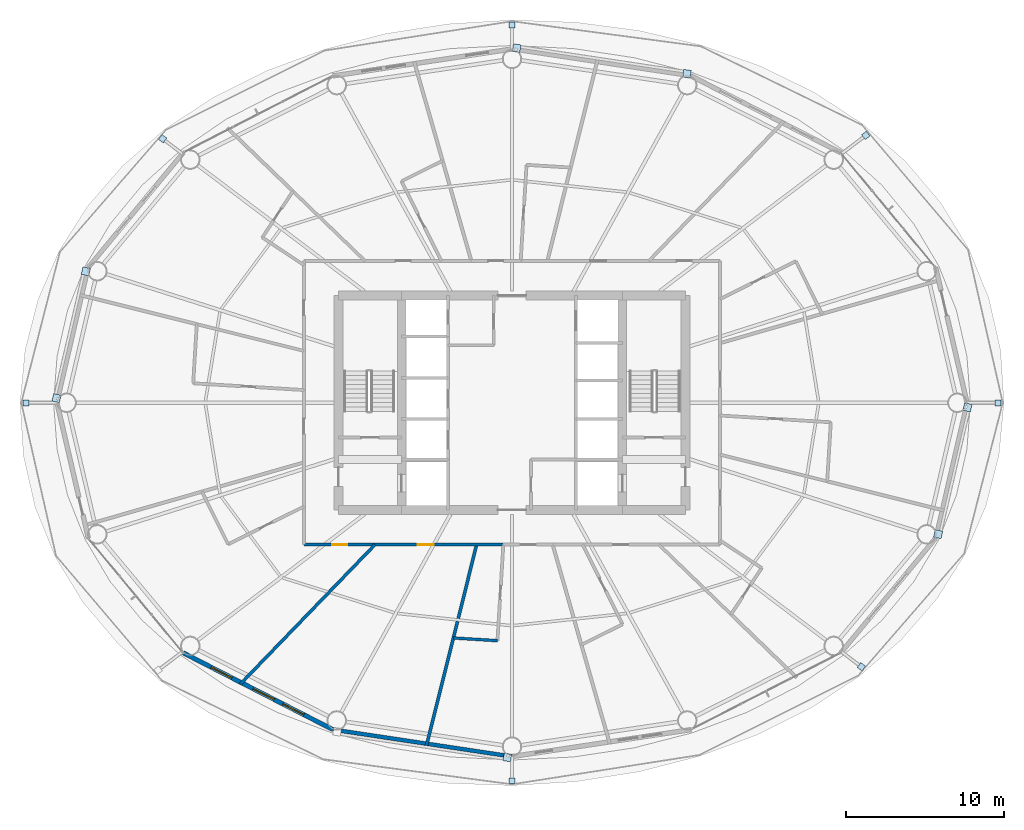
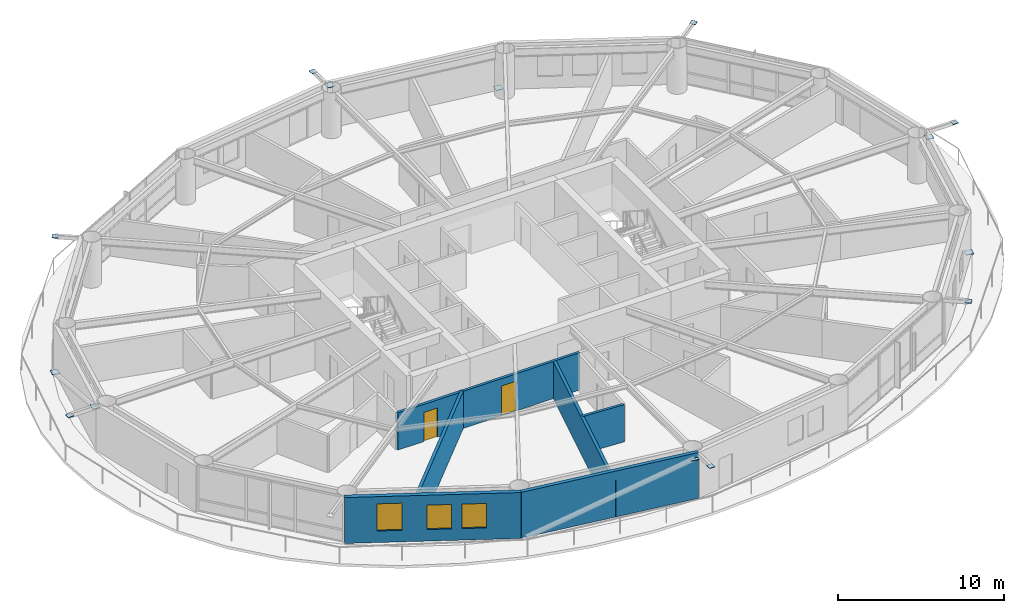
# One storey, part 17 of 24: 14 plates, 6 walls, 3 windows, 2 doors, 5 openings.
"""IFC4 building model written with IfcOpenShell, lengths in metres."""

from ifc_helpers import new_model, si_unit, direction, frame, frame_2d, origin, origin_2d, place, context, subcontext, project, spatial, rectangle, extrude, material, layer, layer_set, type_object, element, fill, save


model = new_model("IFC4")

# Units and contexts
model_context = context("Model", 3, precision=1e-05, world=origin(), true_north=direction((0.0, 1.0)))
body_context = subcontext(model_context, "Body", "Model", "MODEL_VIEW")
ifc_project = project(units=[si_unit("LENGTHUNIT", "METRE"), si_unit("AREAUNIT", "SQUARE_METRE"), si_unit("VOLUMEUNIT", "CUBIC_METRE"), si_unit("PLANEANGLEUNIT", "RADIAN"), si_unit("MASSUNIT", "GRAM", prefix="KILO")], contexts=[model_context])

# Site, building, storey
site_placement = place(None, origin())
site = spatial("IfcSite", under=ifc_project, at=site_placement, CompositionType="ELEMENT")
building_placement = place(site_placement, origin())
building = spatial("IfcBuilding", under=site, at=building_placement, Name="Sarneth Arch Tower", CompositionType="ELEMENT")
storey_placement = place(building_placement, frame((0.0, 0.0, 98.39990234375)))
storey = spatial("IfcBuildingStorey", under=building, at=storey_placement, Name="L24", CompositionType="ELEMENT", Elevation=98.39990234375)

# Plates
ifc_material_1 = material(Name="Steel S355", Category="steel")
ifc_layer_1 = layer(ifc_material_1, 0.035888671875)
ifc_layer_set_1 = layer_set([ifc_layer_1], Name="Steel S355")
plate_type = type_object("IfcPlateType", Name="PLT-GUSSET-30", PredefinedType="SHEET", material=ifc_layer_set_1)
for number, where, z_axis, x_axis, name in (
    (1, (78.822265625, 42.0, 3.2021484375), (0.0, 0.0, 1.0), (1.0, 0.0, 0.0), "Steel end cap plate GP-1"),
    (2, (70.433349609375, 58.953369140625, 3.2021484375), (0.0, 0.0, 1.0), (0.797794439539, 0.602929541689, 0.0), "Steel end cap plate GP-1"),
):
    element("IfcPlate", number, at=place(storey_placement, frame(where, z_axis=z_axis, x_axis=x_axis)), inside=storey, type_object=plate_type, Name=name, PredefinedType="SHEET", context=body_context, shape_type="SweptSolid", body=[
        extrude(rectangle(XDim=0.3798828125, YDim=0.3798828125, at=origin_2d()), origin(), (0.0, 0.0, 1.0), 0.035888671875),
    ])
for number, where, z_axis, x_axis, name in (
    (3, (59.0927734375, 62.859619140625, 0.001953125), (0.0, 0.0, 1.0), (-0.988860535448, 0.148845024885, 0.0), "Steel end cap plate GP-1"),
    (4, (48.296630859375, 64.4853515625, 2.9951171875), (0.0, 0.0, 1.0), (-0.988860535448, 0.148845024885, 0.0), "Steel end cap plate GP-1"),
):
    element("IfcPlate", number, at=place(storey_placement, frame(where, z_axis=z_axis, x_axis=x_axis)), inside=storey, type_object=plate_type, Name=name, PredefinedType="SHEET", context=body_context, shape_type="SweptSolid", body=[
        extrude(rectangle(XDim=0.486083984375, YDim=0.486083984375, at=origin_2d()), origin(), (0.0, 0.0, 1.0), 0.035888671875),
    ])
for number, where, z_axis, x_axis, name in (
    (5, (48.0, 65.96435546875, 3.2021484375), (0.0, 0.0, 1.0), (0.0, 1.0, 0.0), "Steel end cap plate GP-1"),
    (6, (25.8486328125, 58.740234375, 3.2021484375), (0.0, 0.0, 1.0), (-0.797794439539, 0.602929541689, 0.0), "Steel end cap plate GP-1"),
):
    element("IfcPlate", number, at=place(storey_placement, frame(where, z_axis=z_axis, x_axis=x_axis)), inside=storey, type_object=plate_type, Name=name, PredefinedType="SHEET", context=body_context, shape_type="SweptSolid", body=[
        extrude(rectangle(XDim=0.3798828125, YDim=0.3798828125, at=origin_2d()), origin(), (0.0, 0.0, 1.0), 0.035888671875),
    ])
for number, where, z_axis, x_axis, name in (
    (7, (20.98046875, 50.32958984375, 0.001953125), (0.0, 0.0, 1.0), (-0.225291159947, -0.974291482694, 0.0), "Steel end cap plate GP-1"),
    (8, (19.121337890625, 42.292236328125, 2.9951171875), (0.0, 0.0, 1.0), (-0.225291159947, -0.974291482694, 0.0), "Steel end cap plate GP-1"),
):
    element("IfcPlate", number, at=place(storey_placement, frame(where, z_axis=z_axis, x_axis=x_axis)), inside=storey, type_object=plate_type, Name=name, PredefinedType="SHEET", context=body_context, shape_type="SweptSolid", body=[
        extrude(rectangle(XDim=0.486083984375, YDim=0.486083984375, at=origin_2d()), origin(), (0.0, 0.0, 1.0), 0.035888671875),
    ])
plate_1_placement = place(storey_placement, frame((17.177734375, 42.0, 3.2021484375), z_axis=(0.0, 0.0, 1.0), x_axis=(-1.0, 0.0, 0.0)))
element("IfcPlate", 9, at=plate_1_placement, inside=storey, type_object=plate_type, Name="Steel end cap plate GP-1", PredefinedType="SHEET", context=body_context, shape_type="SweptSolid", body=[
    extrude(rectangle(XDim=0.3798828125, YDim=0.3798828125, at=origin_2d()), origin(), (0.0, 0.0, 1.0), 0.035888671875),
])
plate_2_placement = place(storey_placement, frame((47.703369140625, 19.5146484375, 2.9951171875), z_axis=(0.0, 0.0, 1.0), x_axis=(0.988860535448, -0.148845024885, 0.0)))
element("IfcPlate", 10, at=plate_2_placement, inside=storey, type_object=plate_type, Name="Steel end cap plate GP-1", PredefinedType="SHEET", context=body_context, shape_type="SweptSolid", body=[
    extrude(rectangle(XDim=0.486083984375, YDim=0.486083984375, at=origin_2d()), origin(), (0.0, 0.0, 1.0), 0.035888671875),
])
for number, where, z_axis, x_axis, name in (
    (11, (48.0, 18.03564453125, 3.2021484375), (0.0, 0.0, 1.0), (0.0, -1.0, 0.0), "Steel end cap plate GP-1"),
    (12, (70.1513671875, 25.259765625, 3.2021484375), (0.0, 0.0, 1.0), (0.797794439539, -0.602929541689, 0.0), "Steel end cap plate GP-1"),
):
    element("IfcPlate", number, at=place(storey_placement, frame(where, z_axis=z_axis, x_axis=x_axis)), inside=storey, type_object=plate_type, Name=name, PredefinedType="SHEET", context=body_context, shape_type="SweptSolid", body=[
        extrude(rectangle(XDim=0.3798828125, YDim=0.3798828125, at=origin_2d()), origin(), (0.0, 0.0, 1.0), 0.035888671875),
    ])
for number, where, z_axis, x_axis, name in (
    (13, (75.01953125, 33.67041015625, 0.001953125), (0.0, 0.0, 1.0), (0.225291159947, 0.974291482694, 0.0), "Steel end cap plate GP-1"),
    (14, (76.878662109375, 41.707763671875, 2.9951171875), (0.0, 0.0, 1.0), (0.225291159947, 0.974291482694, 0.0), "Steel end cap plate GP-1"),
):
    element("IfcPlate", number, at=place(storey_placement, frame(where, z_axis=z_axis, x_axis=x_axis)), inside=storey, type_object=plate_type, Name=name, PredefinedType="SHEET", context=body_context, shape_type="SweptSolid", body=[
        extrude(rectangle(XDim=0.486083984375, YDim=0.486083984375, at=origin_2d()), origin(), (0.0, 0.0, 1.0), 0.035888671875),
    ])

# Wall, openings, doors
ifc_material_2 = material(Name="Double steel-stud corridor fire wall", Category="steel")
ifc_layer_2 = layer(ifc_material_2, 0.18994140625)
ifc_layer_set_2 = layer_set([ifc_layer_2], Name="Double steel-stud corridor fire wall")
wall_type_1 = type_object("IfcWallType", Name="WALL-CORR-190", PredefinedType="PARTITIONING", material=ifc_layer_set_2)
wall_1_placement = place(storey_placement, frame((47.481689453125, 33.0, 0.0), z_axis=(0.0, 0.0, 1.0), x_axis=(-1.0, 0.0, 0.0)))
wall_1 = element("IfcWall", 15, at=wall_1_placement, inside=storey, type_object=wall_type_1, Name="L24 Interior partition W-L24-TP-017", PredefinedType="PARTITIONING", context=body_context, shape_type="SweptSolid", body=[
    extrude(rectangle(XDim=12.681640625, YDim=0.18994140625, at=frame_2d((6.3408203125, 0.0))), origin(), (0.0, 0.0, 1.0), 2.739990234375),
])
opening_1_placement = place(wall_1_placement, frame((4.455078125, 0.0, 0.0)))
opening_1 = element("IfcOpeningElement", 16, at=opening_1_placement, cuts=wall_1, Name="Opening FD-08", PredefinedType="OPENING", context=body_context, shape_type="SweptSolid", body=[
    extrude(rectangle(XDim=1.0, YDim=2.199951171875, at=frame_2d((0.5, 1.10009765625))), frame((0.0, 0.10498046875, 0.0), z_axis=(0.0, -1.0, 0.0), x_axis=(1.0, 0.0, 0.0)), (0.0, 0.0, 1.0), 0.2099609375),
])
opening_2_placement = place(wall_1_placement, frame((9.929931640625, 0.0, 0.0)))
opening_2 = element("IfcOpeningElement", 17, at=opening_2_placement, cuts=wall_1, Name="Opening FD-09", PredefinedType="OPENING", context=body_context, shape_type="SweptSolid", body=[
    extrude(rectangle(XDim=0.949951171875, YDim=2.14990234375, at=frame_2d((0.47509765625, 1.074951171875))), frame((0.0, 0.10498046875, 0.0), z_axis=(0.0, -1.0, 0.0), x_axis=(1.0, 0.0, 0.0)), (0.0, 0.0, 1.0), 0.2099609375),
])
ifc_material_3 = material(Name="Hardwood timber acoustic fire door", Category="wood")
door_type_1 = type_object("IfcDoorType", Name="DR-FD60-1000", OperationType="SINGLE_SWING_LEFT", PredefinedType="DOOR", material=ifc_material_3)
door_1_placement = place(opening_1_placement, origin())
door_1 = element("IfcDoor", 18, at=door_1_placement, inside=storey, type_object=door_type_1, Name="L24 Interior door DR-L24-AMN-08", OperationType="SINGLE_SWING_LEFT", OverallHeight=2.199951171875, OverallWidth=1.0, PredefinedType="DOOR", context=body_context, shape_type="SweptSolid", body=[
    extrude(rectangle(XDim=1.0, YDim=2.199951171875, at=frame_2d((0.5, 1.10009765625))), frame((0.0, 0.02490234375, 0.0), z_axis=(0.0, -1.0, 0.0), x_axis=(1.0, 0.0, 0.0)), (0.0, 0.0, 1.0), 0.050048828125),
])
fill(opening_1, door_1)
ifc_material_4 = material(Name="Hardwood timber hotel entrance fire door", Category="wood")
door_type_2 = type_object("IfcDoorType", Name="DR-FD60-950", OperationType="SINGLE_SWING_RIGHT", PredefinedType="DOOR", material=ifc_material_4)
door_2_placement = place(opening_2_placement, origin())
door_2 = element("IfcDoor", 19, at=door_2_placement, inside=storey, type_object=door_type_2, Name="L24 Interior door DR-L24-KEY-07", OperationType="SINGLE_SWING_RIGHT", OverallHeight=2.14990234375, OverallWidth=0.949951171875, PredefinedType="DOOR", context=body_context, shape_type="SweptSolid", body=[
    extrude(rectangle(XDim=0.949951171875, YDim=2.14990234375, at=frame_2d((0.47509765625, 1.074951171875))), frame((0.0, 0.02490234375, 0.0), z_axis=(0.0, -1.0, 0.0), x_axis=(1.0, 0.0, 0.0)), (0.0, 0.0, 1.0), 0.050048828125),
])
fill(opening_2, door_2)

# Wall
ifc_material_5 = material(Name="Extruded terracotta rainscreen on Concrete C40/50 backing", Category="masonry")
ifc_layer_3 = layer(ifc_material_5, 0.25)
ifc_layer_set_3 = layer_set([ifc_layer_3], Name="Extruded terracotta rainscreen on Concrete C40/50 backing")
wall_type_2 = type_object("IfcWallType", Name="WALL-EXT-SPAND-250", PredefinedType="SOLIDWALL", material=ifc_layer_set_3)
wall_2_placement = place(storey_placement, frame((36.648681640625, 21.27734375, 0.0), z_axis=(0.0, 0.0, 1.0), x_axis=(0.988877774656, -0.148730450117, 0.0)))
element("IfcWall", 20, at=wall_2_placement, inside=storey, type_object=wall_type_2, Name="L24 Terracotta perimeter wall 12", PredefinedType="SOLIDWALL", context=body_context, shape_type="SweptSolid", body=[
    extrude(rectangle(XDim=11.47900390625, YDim=0.25, at=frame_2d((5.739501953125, 0.0))), origin(), (0.0, 0.0, 1.0), 3.380126953125),
])

# Wall, openings, windows
ifc_material_6 = material(Name="Extruded terracotta rainscreen on Concrete C40/50 backing", Category="masonry")
ifc_layer_4 = layer(ifc_material_6, 0.280029296875)
ifc_layer_set_4 = layer_set([ifc_layer_4], Name="Extruded terracotta rainscreen on Concrete C40/50 backing")
wall_type_3 = type_object("IfcWallType", Name="WALL-EXT-TERRA-280", PredefinedType="SOLIDWALL", material=ifc_layer_set_4)
wall_3_placement = place(storey_placement, frame((27.159912109375, 26.1396484375, 0.0), z_axis=(0.0, 0.0, 1.0), x_axis=(0.889959505023, -0.45603955905, 0.0)))
wall_3 = element("IfcWall", 21, at=wall_3_placement, inside=storey, type_object=wall_type_3, Name="L24 Terracotta perimeter wall 11", PredefinedType="SOLIDWALL", context=body_context, shape_type="SweptSolid", body=[
    extrude(rectangle(XDim=10.662109375, YDim=0.280029296875, at=frame_2d((5.3310546875, 0.0))), origin(), (0.0, 0.0, 1.0), 3.380126953125),
])
opening_3_placement = place(wall_3_placement, frame((1.978759765625, 0.0, 0.85009765625)))
opening_3 = element("IfcOpeningElement", 22, at=opening_3_placement, cuts=wall_3, Name="Opening W-06", PredefinedType="OPENING", context=body_context, shape_type="SweptSolid", body=[
    extrude(rectangle(XDim=1.5, YDim=2.0, at=frame_2d((0.75, 1.0))), frame((0.0, 0.14990234375, 0.0), z_axis=(0.0, -1.0, 0.0), x_axis=(1.0, 0.0, 0.0)), (0.0, 0.0, 1.0), 0.300048828125),
])
opening_4_placement = place(wall_3_placement, frame((4.981689453125, 0.0, 0.85009765625)))
opening_4 = element("IfcOpeningElement", 23, at=opening_4_placement, cuts=wall_3, Name="Opening W-07", PredefinedType="OPENING", context=body_context, shape_type="SweptSolid", body=[
    extrude(rectangle(XDim=1.5, YDim=1.800048828125, at=frame_2d((0.75, 0.89990234375))), frame((0.0, 0.14990234375, 0.0), z_axis=(0.0, -1.0, 0.0), x_axis=(1.0, 0.0, 0.0)), (0.0, 0.0, 1.0), 0.300048828125),
])
opening_5_placement = place(wall_3_placement, frame((7.096435546875, 0.0, 0.85009765625)))
opening_5 = element("IfcOpeningElement", 24, at=opening_5_placement, cuts=wall_3, Name="Opening W-07", PredefinedType="OPENING", context=body_context, shape_type="SweptSolid", body=[
    extrude(rectangle(XDim=1.5, YDim=1.800048828125, at=frame_2d((0.75, 0.89990234375))), frame((0.0, 0.14990234375, 0.0), z_axis=(0.0, -1.0, 0.0), x_axis=(1.0, 0.0, 0.0)), (0.0, 0.0, 1.0), 0.300048828125),
])
ifc_material_7 = material(Name="Thermally broken Aluminium 6063-T6 and low-e laminated IGU", Category="aluminium")
window_type_1 = type_object("IfcWindowType", Name="WIN-TWR-1500x1800", PartitioningType="SINGLE_PANEL", PredefinedType="WINDOW", material=ifc_material_7)
window_1_placement = place(opening_4_placement, origin())
window_1 = element("IfcWindow", 25, at=window_1_placement, inside=storey, type_object=window_type_1, Name="L24 Exterior window 11B", OverallHeight=1.800048828125, OverallWidth=1.5, PartitioningType="SINGLE_PANEL", PredefinedType="WINDOW", context=body_context, shape_type="SweptSolid", body=[
    extrude(rectangle(XDim=1.5, YDim=1.800048828125, at=frame_2d((0.75, 0.89990234375))), frame((0.0, 0.030029296875, 0.0), z_axis=(0.0, -1.0, 0.0), x_axis=(1.0, 0.0, 0.0)), (0.0, 0.0, 1.0), 0.06005859375),
])
fill(opening_4, window_1)
window_2_placement = place(opening_5_placement, origin())
window_2 = element("IfcWindow", 26, at=window_2_placement, inside=storey, type_object=window_type_1, Name="L24 Exterior window 11C", OverallHeight=1.800048828125, OverallWidth=1.5, PartitioningType="SINGLE_PANEL", PredefinedType="WINDOW", context=body_context, shape_type="SweptSolid", body=[
    extrude(rectangle(XDim=1.5, YDim=1.800048828125, at=frame_2d((0.75, 0.89990234375))), frame((0.0, 0.030029296875, 0.0), z_axis=(0.0, -1.0, 0.0), x_axis=(1.0, 0.0, 0.0)), (0.0, 0.0, 1.0), 0.06005859375),
])
fill(opening_5, window_2)
ifc_material_8 = material(Name="Thermally broken Aluminium 6063-T6 and low-e laminated IGU", Category="aluminium")
window_type_2 = type_object("IfcWindowType", Name="WIN-TWR-1500x2000", PartitioningType="SINGLE_PANEL", PredefinedType="WINDOW", material=ifc_material_8)
window_3_placement = place(opening_3_placement, origin())
window_3 = element("IfcWindow", 27, at=window_3_placement, inside=storey, type_object=window_type_2, Name="L24 Exterior window 11A", OverallHeight=2.0, OverallWidth=1.5, PartitioningType="SINGLE_PANEL", PredefinedType="WINDOW", context=body_context, shape_type="SweptSolid", body=[
    extrude(rectangle(XDim=1.5, YDim=2.0, at=frame_2d((0.75, 1.0))), frame((0.0, 0.030029296875, 0.0), z_axis=(0.0, -1.0, 0.0), x_axis=(1.0, 0.0, 0.0)), (0.0, 0.0, 1.0), 0.06005859375),
])
fill(opening_3, window_3)

# Walls
ifc_material_9 = material(Name="Moisture-resistant plumbing chase wall", Category="gypsum")
ifc_layer_5 = layer(ifc_material_9, 0.179931640625)
ifc_layer_set_5 = layer_set([ifc_layer_5], Name="Moisture-resistant plumbing chase wall")
wall_type_4 = type_object("IfcWallType", Name="WALL-PLUMB-180", PredefinedType="PLUMBINGWALL", material=ifc_layer_set_5)
wall_4_placement = place(storey_placement, frame((44.28173828125, 27.087158203125, 0.0), z_axis=(0.0, 0.0, 1.0), x_axis=(0.998136779925, -0.061016133608, 0.0)))
element("IfcWall", 28, at=wall_4_placement, inside=storey, type_object=wall_type_4, Name="L24 Interior partition W-L24-TP-055", PredefinedType="PLUMBINGWALL", context=body_context, shape_type="SweptSolid", body=[
    extrude(rectangle(XDim=2.80078125, YDim=0.179931640625, at=frame_2d((1.400390625, 0.0))), origin(), (0.0, 0.0, 1.0), 2.739990234375),
])
ifc_material_10 = material(Name="Double steel-stud acoustic drywall", Category="steel")
ifc_layer_6 = layer(ifc_material_10, 0.199951171875)
ifc_layer_set_6 = layer_set([ifc_layer_6], Name="Double steel-stud acoustic drywall")
wall_type_5 = type_object("IfcWallType", Name="WALL-UNIT-200", PredefinedType="PARTITIONING", material=ifc_layer_set_6)
wall_5_placement = place(storey_placement, frame((30.771728515625, 24.159912109375, 0.0), z_axis=(0.0, 0.0, 1.0), x_axis=(0.694672506389, 0.719326149161, 0.0)))
element("IfcWall", 29, at=wall_5_placement, inside=storey, type_object=wall_type_5, Name="L24 Interior partition W-L24-TP-052", PredefinedType="PARTITIONING", context=body_context, shape_type="SweptSolid", body=[
    extrude(rectangle(XDim=12.289306640625, YDim=0.199951171875, at=frame_2d((6.14453125, 0.0))), origin(), (0.0, 0.0, 1.0), 2.739990234375),
])
wall_6_placement = place(storey_placement, frame((45.756103515625, 33.0, 0.0), z_axis=(0.0, 0.0, 1.0), x_axis=(-0.241918476077, -0.970296578852, 0.0)))
element("IfcWall", 30, at=wall_6_placement, inside=storey, type_object=wall_type_5, Name="L24 Interior partition W-L24-TP-053", PredefinedType="PARTITIONING", context=body_context, shape_type="SweptSolid", body=[
    extrude(rectangle(XDim=13.12548828125, YDim=0.199951171875, at=frame_2d((6.562744140625, 0.0))), origin(), (0.0, 0.0, 1.0), 2.739990234375),
])

save(model, "model.ifc")
